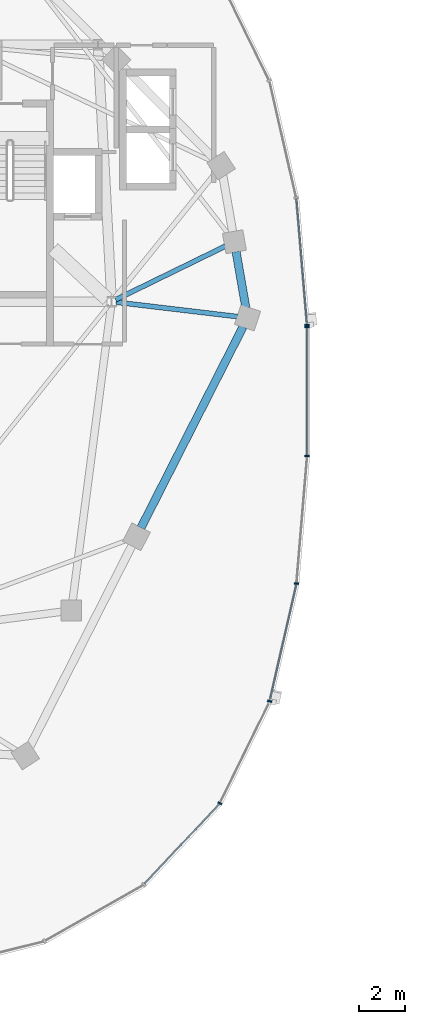
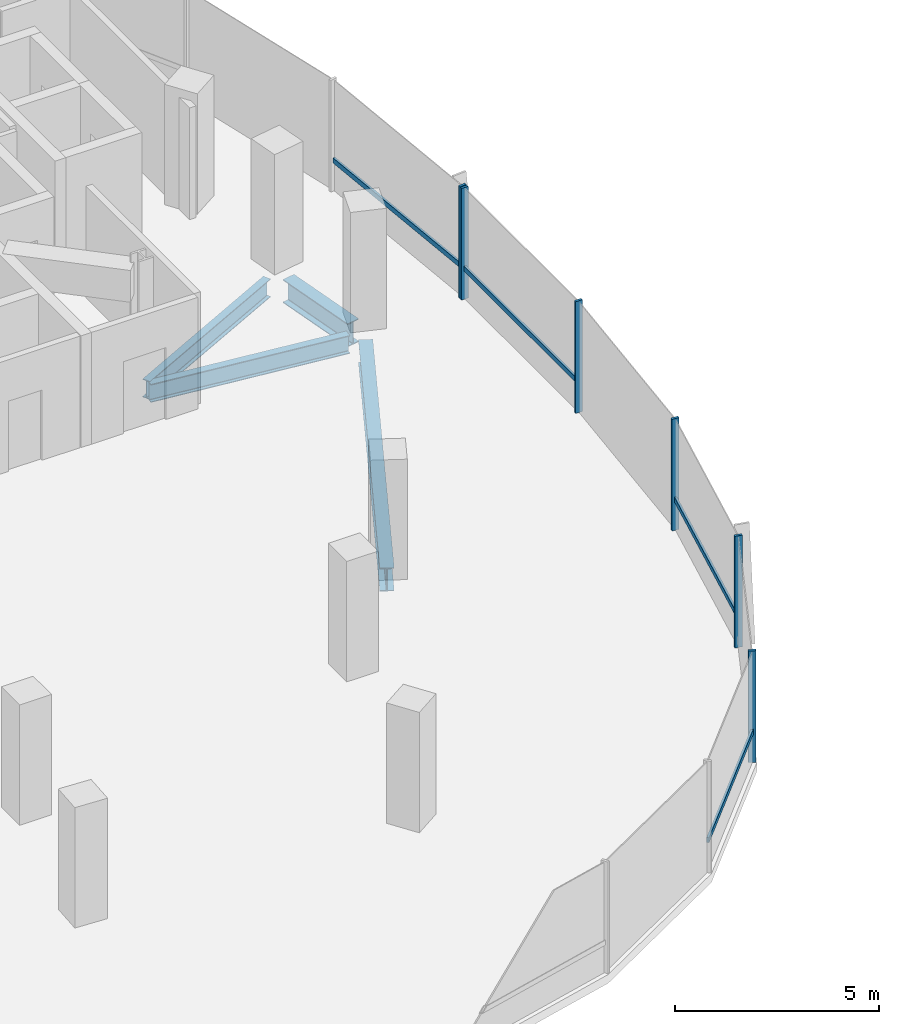
# One storey, part 5 of 24: 10 members, 4 beams, 2 elements without a shape of their own.
"""IFC4 building model written with IfcOpenShell, lengths in metres."""

import ifcopenshell
import ifcopenshell.guid

model = None  # the IFC model being written
_history = None  # IfcOwnerHistory: only IFC2X3 demands one
_inside = {}  # id of a spatial element -> (the spatial element, [elements in it])
_under = {}  # id of a project, library or spatial element -> (it, [spatial elements below it])
_declared = {}  # id of a project -> (the project, [libraries it declares])
_typed = {}  # id of a type object -> (the type object, [elements of that type])
_made_of = {}  # id of a material, layer set ... -> (it, [elements and type objects made of it])


def new_model(schema):
    """Start an empty IFC model of exactly this schema.

    Asked for "IFC4X3", IfcOpenShell would pick the latest addendum, in which some entities
    have other attributes; the version numbers below select the first issue.
    IFC2X3 requires an IfcOwnerHistory on every rooted entity: one is made here for all.
    """
    global model, _history
    if schema == "IFC4X3":
        model = ifcopenshell.file(schema_version=(4, 3, 0, 0))
    else:
        model = ifcopenshell.file(schema=schema)
    _inside.clear()
    _under.clear()
    _declared.clear()
    _typed.clear()
    _made_of.clear()
    _history = None
    if model.schema == "IFC2X3":
        org = make("IfcOrganization", Name="unknown")
        user = make(
            "IfcPersonAndOrganization",
            ThePerson=make("IfcPerson", FamilyName="unknown"),
            TheOrganization=org,
        )
        app = make(
            "IfcApplication",
            ApplicationDeveloper=org,
            Version="unknown",
            ApplicationFullName="unknown",
            ApplicationIdentifier="unknown",
        )
        _history = make(
            "IfcOwnerHistory",
            OwningUser=user,
            OwningApplication=app,
            ChangeAction="ADDED",
            CreationDate=0,
        )
    return model


def make(cls, **values):
    """One entity of the class cls with the attributes given. An attribute that is None is left unset."""
    return model.create_entity(
        cls, **{name: value for name, value in values.items() if value is not None}
    )


def rooted(cls, **values):
    """An entity with a GlobalId (a new one), such as an element, a storey or a relation."""
    return make(cls, GlobalId=ifcopenshell.guid.new(), OwnerHistory=_history, **values)


def si_unit(unit_type, name, prefix=None):
    """IfcSIUnit, for example si_unit("LENGTHUNIT", "METRE", prefix="MILLI")."""
    return make("IfcSIUnit", UnitType=unit_type, Prefix=prefix, Name=name)


def assignment(units):
    """IfcUnitAssignment: the units of a project."""
    return None if units is None else make("IfcUnitAssignment", Units=units)


def point(xyz):
    """IfcCartesianPoint."""
    return None if xyz is None else make("IfcCartesianPoint", Coordinates=xyz)


def direction(xyz):
    """IfcDirection."""
    return None if xyz is None else make("IfcDirection", DirectionRatios=xyz)


def frame(location, z_axis=None, x_axis=None):
    """IfcAxis2Placement3D, a coordinate frame: its origin and axes. An axis left out is left unset."""
    return make(
        "IfcAxis2Placement3D",
        Location=point(location),
        Axis=direction(z_axis),
        RefDirection=direction(x_axis),
    )


def frame_2d(location, x_axis=None):
    """IfcAxis2Placement2D, a coordinate frame in the plane: its origin and x axis."""
    return make(
        "IfcAxis2Placement2D", Location=point(location), RefDirection=direction(x_axis)
    )


def origin():
    """The frame at (0, 0, 0) with its axes left unset."""
    return frame((0.0, 0.0, 0.0))


def origin_2d():
    """The frame at (0, 0) in the plane with its x axis left unset."""
    return frame_2d((0.0, 0.0))


def place(relative_to, where):
    """IfcLocalPlacement: puts the frame where relative to a parent placement (None: the world)."""
    return make(
        "IfcLocalPlacement", PlacementRelTo=relative_to, RelativePlacement=where
    )


def context(
    kind, dimensions, precision=None, world=None, true_north=None, identifier=None
):
    """IfcGeometricRepresentationContext, for example the 3D "Model" context."""
    return make(
        "IfcGeometricRepresentationContext",
        ContextIdentifier=identifier,
        ContextType=kind,
        CoordinateSpaceDimension=dimensions,
        Precision=precision,
        WorldCoordinateSystem=world,
        TrueNorth=true_north,
    )


def subcontext(parent, identifier, kind, view, scale=None):
    """IfcGeometricRepresentationSubContext, for example "Body" below "Model"."""
    return make(
        "IfcGeometricRepresentationSubContext",
        ContextIdentifier=identifier,
        ContextType=kind,
        ParentContext=parent,
        TargetScale=scale,
        TargetView=view,
    )


def project(units=None, contexts=None):
    """IfcProject with its units and contexts."""
    return rooted(
        "IfcProject",
        Name="project",
        RepresentationContexts=contexts,
        UnitsInContext=assignment(units),
    )


def spatial(cls, under=None, at=None, **own):
    """A site, building, storey or space (cls), placed at a placement, below another one or the project."""
    s = rooted(cls, ObjectPlacement=at, **own)
    if under is not None:
        _under.setdefault(under.id(), (under, []))[1].append(s)
    return s


def profile(cls, at=None, kind="AREA", **sizes):
    """A parametric profile (cls). Its sizes go by their IFC names, for example OverallWidth=200.0."""
    return make(cls, ProfileType=kind, Position=at, **sizes)


def rectangle(**sizes):
    """IfcRectangleProfileDef."""
    return profile("IfcRectangleProfileDef", **sizes)


def i_section(**sizes):
    """IfcIShapeProfileDef."""
    return profile("IfcIShapeProfileDef", **sizes)


def extrude(swept, where, along, depth):
    """IfcExtrudedAreaSolid: the profile swept, set in the frame where, extruded along a direction by depth."""
    return make(
        "IfcExtrudedAreaSolid",
        SweptArea=swept,
        Position=where,
        ExtrudedDirection=direction(along),
        Depth=depth,
    )


def shape(context_of_items, identifier, shape_type, items):
    """IfcShapeRepresentation: the items that make up one representation, for example the "Body"."""
    return make(
        "IfcShapeRepresentation",
        ContextOfItems=context_of_items,
        RepresentationIdentifier=identifier,
        RepresentationType=shape_type,
        Items=items,
    )


def material(Name=None, Category=None):
    """IfcMaterial."""
    return make("IfcMaterial", Name=Name, Category=Category)


def material_profile(
    of_material, cross_section, Name=None, Category=None, Priority=None
):
    """IfcMaterialProfile: a cross section and its material."""
    return make(
        "IfcMaterialProfile",
        Name=Name,
        Material=of_material,
        Profile=cross_section,
        Priority=Priority,
        Category=Category,
    )


def profile_set(profiles, Name=None, composite=None):
    """IfcMaterialProfileSet."""
    return make(
        "IfcMaterialProfileSet",
        Name=Name,
        MaterialProfiles=profiles,
        CompositeProfile=composite,
    )


def made_of(thing, what):
    """Note that an element or type object is made of a material, layer set ...; save() writes the relation."""
    if what is not None:
        _made_of.setdefault(what.id(), (what, []))[1].append(thing)
    return thing


def type_object(cls, material=None, **own):
    """A type object (cls), such as IfcWallType, which elements share."""
    return made_of(rooted(cls, **own), material)


def element(
    cls,
    number,
    at=None,
    inside=None,
    cuts=None,
    type_object=None,
    material=None,
    context=None,
    identifier="Body",
    shape_type=None,
    held_by="IfcProductDefinitionShape",
    body=None,
    shapes=None,
    **own,
):
    """One element of the class cls, such as IfcWall. Its Tag is "e" and its number.

    at: its placement. inside: the storey or other place that contains it. cuts: it is an
    opening in that element (IfcRelVoidsElement). A single representation is given by context,
    identifier, shape_type and body (its items); several are given by shapes. held_by: the class
    of the entity that holds the representations. save() writes the other relations.
    """
    e = rooted(cls, Tag="e%d" % number, ObjectPlacement=at, **own)
    if body is not None:
        shapes = [shape(context, identifier, shape_type, body)]
    if shapes is not None:
        e.Representation = make(held_by, Representations=shapes)
    if inside is not None:
        _inside.setdefault(inside.id(), (inside, []))[1].append(e)
    if cuts is not None:
        rooted(
            "IfcRelVoidsElement", RelatingBuildingElement=cuts, RelatedOpeningElement=e
        )
    if type_object is not None:
        _typed.setdefault(type_object.id(), (type_object, []))[1].append(e)
    return made_of(e, material)


def aggregate(whole, parts):
    """IfcRelAggregates: a whole, such as a stair, and the parts it consists of."""
    return rooted("IfcRelAggregates", RelatingObject=whole, RelatedObjects=parts)


def save(model, path):
    """Write the relations noted so far, then the file.

    IfcRelAggregates (storeys below a building ...), IfcRelContainedInSpatialStructure (elements
    in a storey), IfcRelDefinesByType, IfcRelAssociatesMaterial and IfcRelDeclares: one each for
    every whole, place, type object, material and project.
    """
    for whole, parts in _under.values():
        aggregate(whole, parts)
    for where, things in _inside.values():
        rooted(
            "IfcRelContainedInSpatialStructure",
            RelatedElements=things,
            RelatingStructure=where,
        )
    for kind, things in _typed.values():
        rooted("IfcRelDefinesByType", RelatedObjects=things, RelatingType=kind)
    for what, things in _made_of.values():
        rooted("IfcRelAssociatesMaterial", RelatedObjects=things, RelatingMaterial=what)
    for by, libraries in _declared.values():
        rooted("IfcRelDeclares", RelatingContext=by, RelatedDefinitions=libraries)
    model.write(path)


model = new_model("IFC4")

# Units and contexts
model_context = context("Model", 3, precision=1e-05, world=origin(), true_north=direction((0.0, 1.0)))
body_context = subcontext(model_context, "Body", "Model", "MODEL_VIEW")
ifc_project = project(units=[si_unit("LENGTHUNIT", "METRE"), si_unit("AREAUNIT", "SQUARE_METRE"), si_unit("VOLUMEUNIT", "CUBIC_METRE"), si_unit("PLANEANGLEUNIT", "RADIAN"), si_unit("MASSUNIT", "GRAM", prefix="KILO"), si_unit("THERMODYNAMICTEMPERATUREUNIT", "KELVIN"), si_unit("POWERUNIT", "WATT")], contexts=[model_context])

# Site, building, storey
site_placement = place(None, origin())
site = spatial("IfcSite", under=ifc_project, at=site_placement, CompositionType="ELEMENT")
building_placement = place(site_placement, origin())
building = spatial("IfcBuilding", under=site, at=building_placement, Name="Cundina Bronze Exchange", CompositionType="ELEMENT")
storey_placement = place(building_placement, frame((0.0, 0.0, 227.800048828125)))
storey = spatial("IfcBuildingStorey", under=building, at=storey_placement, Name="L60", CompositionType="ELEMENT", Elevation=227.800048828125)

# Beams
ifc_material_1 = material(Name="Steel ASTM A992 Grade 50", Category="steel")
ifc_material_profile_1 = material_profile(ifc_material_1, i_section(OverallWidth=0.2119140625, OverallDepth=0.5439453125, WebThickness=0.01318359375, FlangeThickness=0.021240234375, FilletRadius=0.013916015625, at=origin_2d()), Name="W21X83", Category="steel")
ifc_profile_set_1 = profile_set([ifc_material_profile_1], Name="Steel ASTM A992 Grade 50")
beam_type_1 = type_object("IfcBeamType", Name="BM-FLR-W21A", PredefinedType="BEAM", material=ifc_profile_set_1)
beam_1_placement = place(storey_placement, frame((-21.25537109375, 3.876953125, -0.531982421875), z_axis=(0.993036786722, -0.117804669761, 0.0), x_axis=(0.117804669761, 0.993036786722, 0.0)))
element("IfcBeam", 1, at=beam_1_placement, inside=storey, type_object=beam_type_1, Name="L60 Leg W Radial Floor Beam 00", PredefinedType="BEAM", context=body_context, shape_type="SweptSolid", body=[
    extrude(i_section(OverallWidth=0.2119140625, OverallDepth=0.5439453125, WebThickness=0.01318359375, FlangeThickness=0.021240234375, FilletRadius=0.013916015625, at=origin_2d()), origin(), (0.0, 0.0, 1.0), 5.307373046875),
])
beam_2_placement = place(storey_placement, frame((-21.27392578125, 3.986083984375, -0.531982421875), z_axis=(0.898613202677, 0.438741737214, 0.0), x_axis=(-0.438741737214, 0.898613202677, 0.0)))
element("IfcBeam", 2, at=beam_2_placement, inside=storey, type_object=beam_type_1, Name="L60 Leg W Radial Floor Beam 01", PredefinedType="BEAM", context=body_context, shape_type="SweptSolid", body=[
    extrude(i_section(OverallWidth=0.2119140625, OverallDepth=0.5439453125, WebThickness=0.01318359375, FlangeThickness=0.021240234375, FilletRadius=0.013916015625, at=origin_2d()), origin(), (0.0, 0.0, 1.0), 5.2919921875),
])
ifc_material_profile_2 = material_profile(ifc_material_1, i_section(OverallWidth=0.35498046875, OverallDepth=0.695068359375, WebThickness=0.015380859375, FlangeThickness=0.02490234375, FilletRadius=0.01806640625, at=origin_2d()), Name="W27X146", Category="steel")
ifc_profile_set_2 = profile_set([ifc_material_profile_2], Name="Steel ASTM A992 Grade 50")
beam_type_2 = type_object("IfcBeamType", Name="BM-RING-W27", PredefinedType="USERDEFINED", material=ifc_profile_set_2)
beam_3_placement = place(storey_placement, frame((-15.625244140625, 3.631591796875, -0.607666015625), z_axis=(-0.171628556628, 0.985161732179, 0.0), x_axis=(-0.985161732179, -0.171628556628, 0.0)))
element("IfcBeam", 3, at=beam_3_placement, inside=storey, type_object=beam_type_2, Name="L60 W Perimeter Ring Girder 00", ObjectType="GIRDER", PredefinedType="USERDEFINED", context=body_context, shape_type="SweptSolid", body=[
    extrude(i_section(OverallWidth=0.35498046875, OverallDepth=0.695068359375, WebThickness=0.015380859375, FlangeThickness=0.02490234375, FilletRadius=0.01806640625, at=origin_2d()), origin(), (0.0, 0.0, 1.0), 2.4736328125),
])
beam_4_placement = place(storey_placement, frame((-20.1767578125, -5.909423828125, -0.607666015625), z_axis=(0.452846871434, 0.891588308039, 0.0), x_axis=(-0.891588308039, 0.452846871434, 0.0)))
element("IfcBeam", 4, at=beam_4_placement, inside=storey, type_object=beam_type_2, Name="L60 W Perimeter Ring Girder 13", ObjectType="GIRDER", PredefinedType="USERDEFINED", context=body_context, shape_type="SweptSolid", body=[
    extrude(i_section(OverallWidth=0.35498046875, OverallDepth=0.695068359375, WebThickness=0.015380859375, FlangeThickness=0.02490234375, FilletRadius=0.01806640625, at=origin_2d()), origin(), (0.0, 0.0, 1.0), 9.779052734375),
])

# Curtain wall, member
ifc_material_2 = material(Name="Anodised Bronze Aluminium 6063-T6", Category="aluminium")
curtain_wall_type = type_object("IfcCurtainWallType", Name="CWS-UPP-OFF", PredefinedType="NOTDEFINED", material=ifc_material_2)
curtain_wall_1_placement = place(storey_placement, origin())
curtain_wall_1 = element("IfcCurtainWall", 5, at=curtain_wall_1_placement, inside=storey, type_object=curtain_wall_type, Name="L60 CW-05 Curtain Wall Run CWR-L60-W1", PredefinedType="NOTDEFINED")
ifc_material_profile_3 = material_profile(ifc_material_2, rectangle(XDim=0.070068359375, YDim=0.18994140625, at=origin_2d()), Name="AL70X190", Category="aluminium")
ifc_profile_set_3 = profile_set([ifc_material_profile_3], Name="Anodised Bronze Aluminium 6063-T6")
member_type_1 = type_object("IfcMemberType", Name="CWM-MUL-190", PredefinedType="MULLION", material=ifc_profile_set_3)
member_1_placement = place(storey_placement, frame((-12.9697265625, 2.88330078125, 0.0), z_axis=(0.0, 0.0, 1.0), x_axis=(-0.083677843332, 0.99649285925, 0.0)))
member_1 = element("IfcMember", 6, at=member_1_placement, type_object=member_type_1, Name="CW-05 Mullion 1", PredefinedType="MULLION", context=body_context, shape_type="SweptSolid", body=[
    extrude(rectangle(XDim=0.070068359375, YDim=0.18994140625, at=origin_2d()), origin(), (0.0, 0.0, 1.0), 3.33984375),
])

# Curtain wall, members
curtain_wall_2_placement = place(storey_placement, origin())
curtain_wall_2 = element("IfcCurtainWall", 7, at=curtain_wall_2_placement, inside=storey, type_object=curtain_wall_type, Name="L60 CW-05 Curtain Wall Run CWR-L60-W4", PredefinedType="NOTDEFINED")
member_2_placement = place(storey_placement, frame((-16.754638671875, -17.866455078125, 0.0), z_axis=(0.0, 0.0, 1.0), x_axis=(0.440566004113, 0.897720221461, 0.0)))
member_2 = element("IfcMember", 8, at=member_2_placement, type_object=member_type_1, Name="CW-05 Mullion 4", PredefinedType="MULLION", context=body_context, shape_type="SweptSolid", body=[
    extrude(rectangle(XDim=0.070068359375, YDim=0.18994140625, at=origin_2d()), origin(), (0.0, 0.0, 1.0), 3.33984375),
])
member_3_placement = place(storey_placement, frame((-14.59228515625, -13.440673828125, 0.0), z_axis=(0.0, 0.0, 1.0), x_axis=(0.223250116011, 0.974761194191, 0.0)))
member_3 = element("IfcMember", 9, at=member_3_placement, type_object=member_type_1, Name="CW-05 Mullion 5", PredefinedType="MULLION", context=body_context, shape_type="SweptSolid", body=[
    extrude(rectangle(XDim=0.070068359375, YDim=0.18994140625, at=origin_2d()), origin(), (0.0, 0.0, 1.0), 3.33984375),
])
member_4_placement = place(storey_placement, frame((-13.427490234375, -8.33056640625, 0.0), z_axis=(0.0, 0.0, 1.0), x_axis=(0.083677843332, 0.99649285925, 0.0)))
member_4 = element("IfcMember", 10, at=member_4_placement, type_object=member_type_1, Name="CW-05 Mullion 6", PredefinedType="MULLION", context=body_context, shape_type="SweptSolid", body=[
    extrude(rectangle(XDim=0.070068359375, YDim=0.18994140625, at=origin_2d()), origin(), (0.0, 0.0, 1.0), 3.33984375),
])
member_5_placement = place(storey_placement, frame((-12.966064453125, -2.794921875, 0.0), z_axis=(0.0, 0.0, 1.0), x_axis=(0.0, 1.0, 0.0)))
member_5 = element("IfcMember", 11, at=member_5_placement, type_object=member_type_1, Name="CW-05 Mullion 7", PredefinedType="MULLION", context=body_context, shape_type="SweptSolid", body=[
    extrude(rectangle(XDim=0.070068359375, YDim=0.18994140625, at=origin_2d()), origin(), (0.0, 0.0, 1.0), 3.33984375),
])
member_6_placement = place(storey_placement, frame((-12.966064453125, 2.794921875, 0.0), z_axis=(0.0, 0.0, 1.0), x_axis=(0.0, 1.0, 0.0)))
member_6 = element("IfcMember", 12, at=member_6_placement, type_object=member_type_1, Name="CW-05 End Mullion", PredefinedType="MULLION", context=body_context, shape_type="SweptSolid", body=[
    extrude(rectangle(XDim=0.070068359375, YDim=0.18994140625, at=origin_2d()), origin(), (0.0, 0.0, 1.0), 3.33984375),
])

# Member
ifc_material_profile_4 = material_profile(ifc_material_2, rectangle(XDim=0.06494140625, YDim=0.14990234375, at=origin_2d()), Name="AL65X150", Category="aluminium")
ifc_profile_set_4 = profile_set([ifc_material_profile_4], Name="Anodised Bronze Aluminium 6063-T6")
member_type_2 = type_object("IfcMemberType", Name="CWM-TRN-150", PredefinedType="USERDEFINED", material=ifc_profile_set_4)
member_7_placement = place(storey_placement, frame((-12.972900390625, 2.921630859375, 0.919921875), z_axis=(-0.083740331158, 0.996487610027, 0.0), x_axis=(-0.996487610027, -0.083740331158, 0.0)))
member_7 = element("IfcMember", 13, at=member_7_placement, type_object=member_type_2, Name="CW-05 Spandrel Transom 1", ObjectType="TRANSOM", PredefinedType="USERDEFINED", context=body_context, shape_type="SweptSolid", body=[
    extrude(rectangle(XDim=0.06494140625, YDim=0.14990234375, at=origin_2d()), origin(), (0.0, 0.0, 1.0), 5.466552734375),
])

aggregate(curtain_wall_1, [member_1, member_7])

member_8_placement = place(storey_placement, frame((-20.02490234375, -21.364501953125, 0.919921875), z_axis=(0.684336416554, 0.729166420633, 0.0), x_axis=(-0.729166420633, 0.684336416554, 0.0)))
member_8 = element("IfcMember", 14, at=member_8_placement, type_object=member_type_2, Name="CW-05 Spandrel Transom 3", ObjectType="TRANSOM", PredefinedType="USERDEFINED", context=body_context, shape_type="SweptSolid", body=[
    extrude(rectangle(XDim=0.06494140625, YDim=0.14990234375, at=origin_2d()), origin(), (0.0, 0.0, 1.0), 4.76513671875),
])

member_9_placement = place(storey_placement, frame((-14.58349609375, -13.403076171875, 0.919921875), z_axis=(0.22328343579, 0.974753562344, 0.0), x_axis=(-0.974753562344, 0.22328343579, 0.0)))
member_9 = element("IfcMember", 15, at=member_9_placement, type_object=member_type_2, Name="CW-05 Spandrel Transom 5", ObjectType="TRANSOM", PredefinedType="USERDEFINED", context=body_context, shape_type="SweptSolid", body=[
    extrude(rectangle(XDim=0.06494140625, YDim=0.14990234375, at=origin_2d()), origin(), (0.0, 0.0, 1.0), 5.159912109375),
])

member_10_placement = place(storey_placement, frame((-12.966064453125, -2.756591796875, 0.919921875), z_axis=(0.0, 1.0, 0.0), x_axis=(-1.0, 0.0, 0.0)))
member_10 = element("IfcMember", 16, at=member_10_placement, type_object=member_type_2, Name="CW-05 Spandrel Transom 7", ObjectType="TRANSOM", PredefinedType="USERDEFINED", context=body_context, shape_type="SweptSolid", body=[
    extrude(rectangle(XDim=0.06494140625, YDim=0.14990234375, at=origin_2d()), origin(), (0.0, 0.0, 1.0), 5.51318359375),
])

aggregate(curtain_wall_2, [member_8, member_2, member_3, member_9, member_4, member_5, member_6, member_10])

save(model, "model.ifc")
